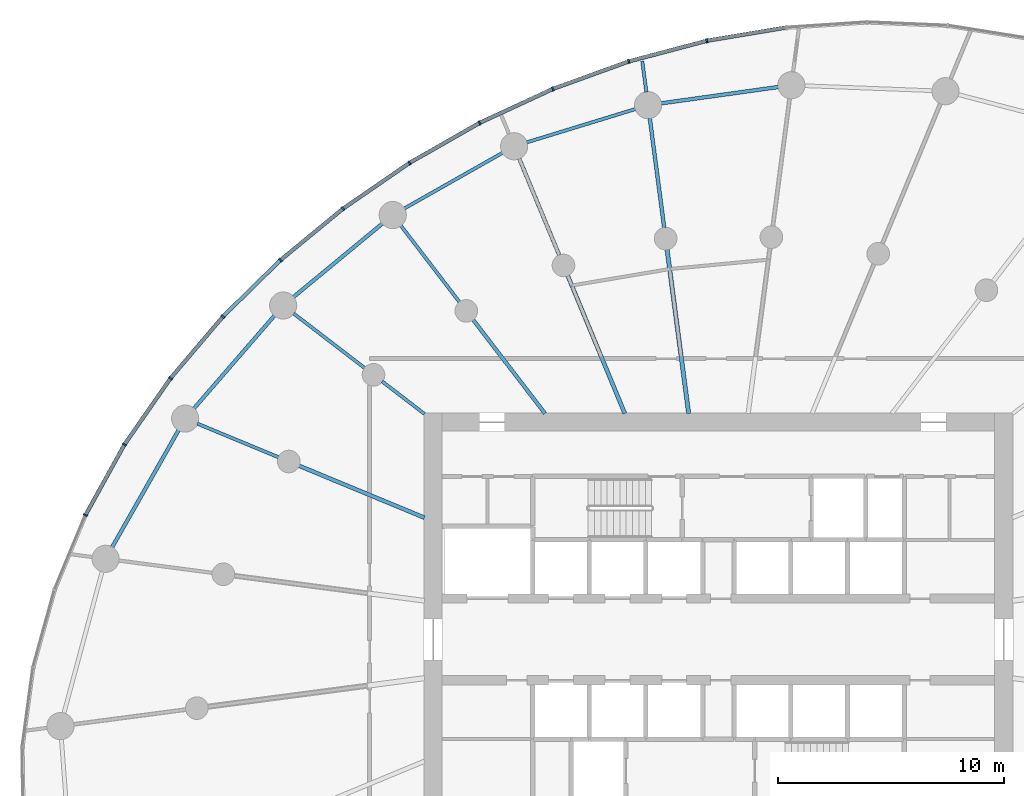
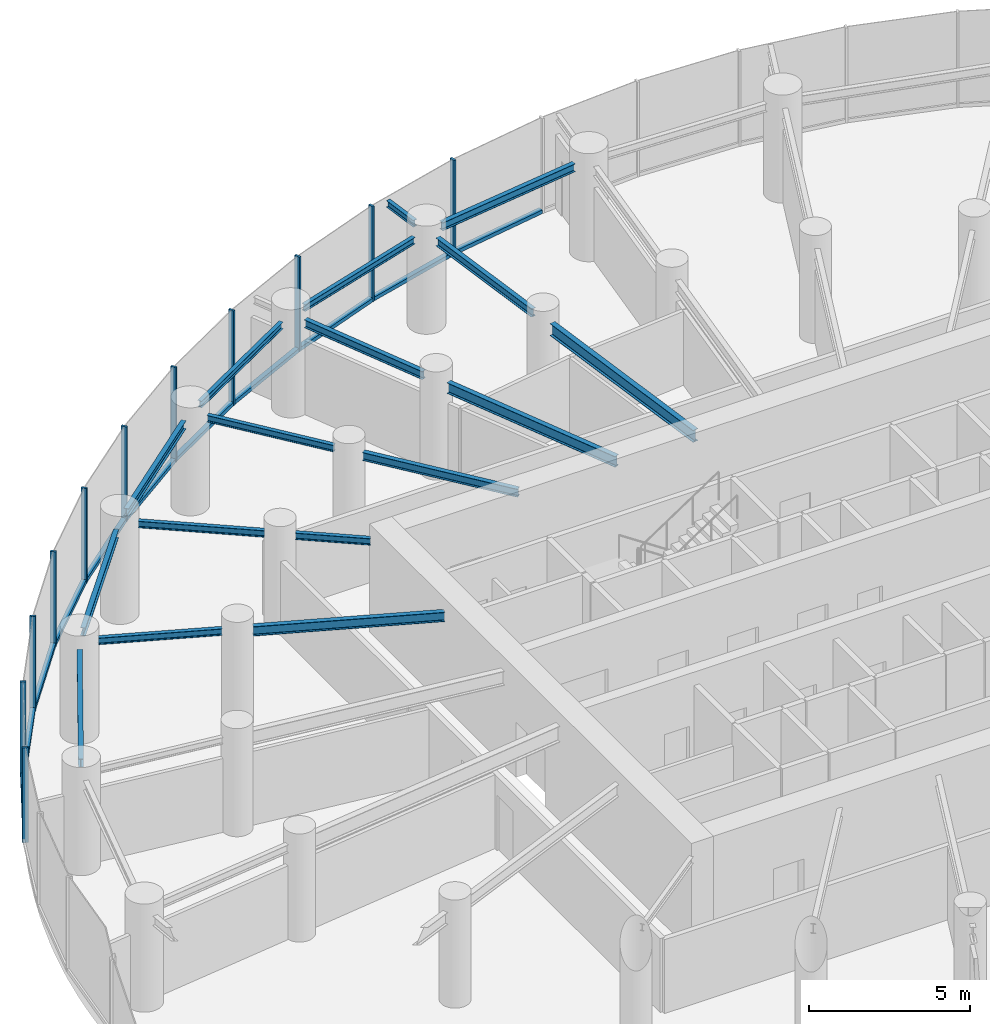
# One storey, part 6 of 17: 22 members, 17 beams, 3 elements without a shape of their own.
"""IFC4 building model written with IfcOpenShell, lengths in metres."""

from ifc_helpers import new_model, si_unit, direction, frame, origin, origin_2d, place, context, subcontext, project, spatial, rectangle, i_section, extrude, source, transform, mapped, material, layer, layer_set, material_profile, profile_set, type_object, element, aggregate, save


model = new_model("IFC4")

# Units and contexts
model_context = context("Model", 3, precision=1e-05, world=origin(), true_north=direction((0.0, 1.0)))
body_context = subcontext(model_context, "Body", "Model", "MODEL_VIEW")
ifc_project = project(units=[si_unit("LENGTHUNIT", "METRE"), si_unit("AREAUNIT", "SQUARE_METRE"), si_unit("VOLUMEUNIT", "CUBIC_METRE"), si_unit("PLANEANGLEUNIT", "RADIAN"), si_unit("MASSUNIT", "GRAM", prefix="KILO")], contexts=[model_context])

# Site, building, storey
site_placement = place(None, origin())
site = spatial("IfcSite", under=ifc_project, at=site_placement, CompositionType="ELEMENT")
building_placement = place(site_placement, origin())
building = spatial("IfcBuilding", under=site, at=building_placement, Name="Spindrift Exchange Tower", CompositionType="ELEMENT")
storey_placement = place(building_placement, frame((0.0, 0.0, 124.89990234375)))
storey = spatial("IfcBuildingStorey", under=building, at=storey_placement, Name="L29", CompositionType="ELEMENT", Elevation=124.89990234375)

# Beams
ifc_material_1 = material(Name="Steel Grade 300", Category="steel")
ifc_material_profile_1 = material_profile(ifc_material_1, i_section(OverallWidth=0.18994140625, OverallDepth=0.45703125, WebThickness=0.009033203125, FlangeThickness=0.014404296875, FilletRadius=0.013916015625, at=origin_2d()), Name="460UB74.6")
ifc_profile_set_1 = profile_set([ifc_material_profile_1], Name="Steel Grade 300")
beam_type_1 = type_object("IfcBeamType", Name="Floor Beam 460UB74.6 Steel Grade 300", PredefinedType="BEAM", material=ifc_profile_set_1)
shared_shape_1 = source(origin(), body_context, "Body", "SweptSolid", [
    extrude(i_section(OverallWidth=0.18994140625, OverallDepth=0.45703125, WebThickness=0.009033203125, FlangeThickness=0.014404296875, FilletRadius=0.013916015625, at=origin_2d()), origin(), (0.0, 0.0, 1.0), 7.3095703125),
])
beam_1_placement = place(storey_placement, frame((50.68603515625, 57.980224609375, 3.37158203125), z_axis=(-0.130527087244, 0.991444743541, 0.0), x_axis=(-0.991444743541, -0.130527087244, 0.0)))
element("IfcBeam", 1, at=beam_1_placement, inside=storey, type_object=beam_type_1, Name="L29 radial beam R07A", PredefinedType="BEAM", context=body_context, shape_type="MappedRepresentation", body=[
    mapped(shared_shape_1, transform((0.0, 0.0, 0.0), scale=1.0)),
])
ifc_material_profile_2 = material_profile(ifc_material_1, i_section(OverallWidth=0.177978515625, OverallDepth=0.406005859375, WebThickness=0.0078125, FlangeThickness=0.0126953125, FilletRadius=0.013916015625, at=origin_2d()), Name="410UB59.7")
ifc_profile_set_2 = profile_set([ifc_material_profile_2], Name="Steel Grade 300")
beam_type_2 = type_object("IfcBeamType", Name="Floor Beam 410UB59.7 Steel Grade 300", PredefinedType="BEAM", material=ifc_profile_set_2)
shared_shape_2 = source(origin(), body_context, "Body", "SweptSolid", [
    extrude(i_section(OverallWidth=0.177978515625, OverallDepth=0.406005859375, WebThickness=0.0078125, FlangeThickness=0.0126953125, FilletRadius=0.013916015625, at=origin_2d()), origin(), (0.0, 0.0, 1.0), 6.594482421875),
])
beam_2_placement = place(storey_placement, frame((47.865478515625, 57.9814453125, 3.397216796875), z_axis=(-0.382692929746, 0.92387559851, 0.0), x_axis=(-0.92387559851, -0.382692929746, 0.0)))
element("IfcBeam", 2, at=beam_2_placement, inside=storey, type_object=beam_type_2, Name="L29 radial beam R08A", PredefinedType="BEAM", context=body_context, shape_type="MappedRepresentation", body=[
    mapped(shared_shape_2, transform((0.0, 0.0, 0.0), scale=1.0)),
])
ifc_material_profile_3 = material_profile(ifc_material_1, i_section(OverallWidth=0.1650390625, OverallDepth=0.303955078125, WebThickness=0.006103515625, FlangeThickness=0.01025390625, FilletRadius=0.011474609375, at=origin_2d()), Name="310UB40.4")
ifc_profile_set_3 = profile_set([ifc_material_profile_3], Name="Steel Grade 300")
beam_type_3 = type_object("IfcBeamType", Name="Floor Beam 310UB40.4 Steel Grade 300", PredefinedType="BEAM", material=ifc_profile_set_3)
shared_shape_3 = source(origin(), body_context, "Body", "SweptSolid", [
    extrude(i_section(OverallWidth=0.1650390625, OverallDepth=0.303955078125, WebThickness=0.006103515625, FlangeThickness=0.01025390625, FilletRadius=0.011474609375, at=origin_2d()), origin(), (0.0, 0.0, 1.0), 5.224609375),
])
beam_3_placement = place(storey_placement, frame((44.3388671875, 57.984130859375, 3.447998046875), z_axis=(-0.608741499316, 0.793368632485, 0.0), x_axis=(-0.793368632485, -0.608741499316, 0.0)))
element("IfcBeam", 3, at=beam_3_placement, inside=storey, type_object=beam_type_3, Name="L29 radial beam R09A", PredefinedType="BEAM", context=body_context, shape_type="MappedRepresentation", body=[
    mapped(shared_shape_3, transform((0.0, 0.0, 0.0), scale=1.0)),
])
ifc_material_profile_4 = material_profile(ifc_material_1, i_section(OverallWidth=0.14599609375, OverallDepth=0.251953125, WebThickness=0.006103515625, FlangeThickness=0.008544921875, FilletRadius=0.011962890625, at=origin_2d()), Name="250UB31.4")
ifc_profile_set_4 = profile_set([ifc_material_profile_4], Name="Steel Grade 300")
beam_type_4 = type_object("IfcBeamType", Name="Floor Beam 250UB31.4 Steel Grade 300", PredefinedType="BEAM", material=ifc_profile_set_4)
shared_shape_4 = source(origin(), body_context, "Body", "SweptSolid", [
    extrude(i_section(OverallWidth=0.14599609375, OverallDepth=0.251953125, WebThickness=0.006103515625, FlangeThickness=0.008544921875, FilletRadius=0.011962890625, at=origin_2d()), origin(), (0.0, 0.0, 1.0), 2.353759765625),
])
beam_4_placement = place(storey_placement, frame((39.015869140625, 57.963134765625, 3.47412109375), z_axis=(-0.793367573265, 0.608742879787, 0.0), x_axis=(-0.608742879787, -0.793367573265, 0.0)))
element("IfcBeam", 4, at=beam_4_placement, inside=storey, type_object=beam_type_4, Name="L29 radial beam R10A", PredefinedType="BEAM", context=body_context, shape_type="MappedRepresentation", body=[
    mapped(shared_shape_4, transform((0.0, 0.0, 0.0), scale=1.0)),
])
ifc_material_profile_5 = material_profile(ifc_material_1, i_section(OverallWidth=0.172119140625, OverallDepth=0.35888671875, WebThickness=0.008056640625, FlangeThickness=0.012939453125, FilletRadius=0.013916015625, at=origin_2d()), Name="360UB56.7")
ifc_profile_set_5 = profile_set([ifc_material_profile_5], Name="Steel Grade 300")
beam_type_5 = type_object("IfcBeamType", Name="Floor Beam 360UB56.7 Steel Grade 300", PredefinedType="BEAM", material=ifc_profile_set_5)
shared_shape_5 = source(origin(), body_context, "Body", "SweptSolid", [
    extrude(i_section(OverallWidth=0.172119140625, OverallDepth=0.35888671875, WebThickness=0.008056640625, FlangeThickness=0.012939453125, FilletRadius=0.013916015625, at=origin_2d()), origin(), (0.0, 0.0, 1.0), 6.004638671875),
])
beam_5_placement = place(storey_placement, frame((39.0185546875, 53.377197265625, 3.420654296875), z_axis=(-0.923882044911, 0.38267736684, 0.0), x_axis=(-0.38267736684, -0.923882044911, 0.0)))
element("IfcBeam", 5, at=beam_5_placement, inside=storey, type_object=beam_type_5, Name="L29 radial beam R11A", PredefinedType="BEAM", context=body_context, shape_type="MappedRepresentation", body=[
    mapped(shared_shape_5, transform((0.0, 0.0, 0.0), scale=1.0)),
])
shared_shape_6 = source(origin(), body_context, "Body", "SweptSolid", [
    extrude(i_section(OverallWidth=0.1650390625, OverallDepth=0.303955078125, WebThickness=0.006103515625, FlangeThickness=0.01025390625, FilletRadius=0.011474609375, at=origin_2d()), origin(), (0.0, 0.0, 1.0), 4.883056640625),
])
beam_6_placement = place(storey_placement, frame((49.606689453125, 66.17919921875, 3.447998046875), z_axis=(-0.130542457964, 0.991442719812, 0.0), x_axis=(-0.991442719812, -0.130542457964, 0.0)))
element("IfcBeam", 6, at=beam_6_placement, inside=storey, type_object=beam_type_3, Name="L29 radial beam R07B", PredefinedType="BEAM", context=body_context, shape_type="MappedRepresentation", body=[
    mapped(shared_shape_6, transform((0.0, 0.0, 0.0), scale=1.0)),
])
shared_shape_7 = source(origin(), body_context, "Body", "SweptSolid", [
    extrude(i_section(OverallWidth=0.1650390625, OverallDepth=0.303955078125, WebThickness=0.006103515625, FlangeThickness=0.01025390625, FilletRadius=0.011474609375, at=origin_2d()), origin(), (0.0, 0.0, 1.0), 4.63671875),
])
beam_7_placement = place(storey_placement, frame((44.974609375, 64.9609375, 3.447998046875), z_axis=(-0.382692818086, 0.923875644763, 0.0), x_axis=(-0.923875644763, -0.382692818086, 0.0)))
element("IfcBeam", 7, at=beam_7_placement, inside=storey, type_object=beam_type_3, Name="L29 radial beam R08B", PredefinedType="BEAM", context=body_context, shape_type="MappedRepresentation", body=[
    mapped(shared_shape_7, transform((0.0, 0.0, 0.0), scale=1.0)),
])
shared_shape_8 = source(origin(), body_context, "Body", "SweptSolid", [
    extrude(i_section(OverallWidth=0.14599609375, OverallDepth=0.251953125, WebThickness=0.006103515625, FlangeThickness=0.008544921875, FilletRadius=0.011962890625, at=origin_2d()), origin(), (0.0, 0.0, 1.0), 4.27587890625),
])
beam_8_placement = place(storey_placement, frame((40.573974609375, 62.890625, 3.47412109375), z_axis=(-0.608725184746, 0.793381150177, 0.0), x_axis=(-0.793381150177, -0.608725184746, 0.0)))
element("IfcBeam", 8, at=beam_8_placement, inside=storey, type_object=beam_type_4, Name="L29 radial beam R09B", PredefinedType="BEAM", context=body_context, shape_type="MappedRepresentation", body=[
    mapped(shared_shape_8, transform((0.0, 0.0, 0.0), scale=1.0)),
])
shared_shape_9 = source(origin(), body_context, "Body", "SweptSolid", [
    extrude(i_section(OverallWidth=0.14599609375, OverallDepth=0.251953125, WebThickness=0.006103515625, FlangeThickness=0.008544921875, FilletRadius=0.011962890625, at=origin_2d()), origin(), (0.0, 0.0, 1.0), 3.966064453125),
])
beam_9_placement = place(storey_placement, frame((36.38671875, 59.98046875, 3.47412109375), z_axis=(-0.79336256318, 0.608749409318, 0.0), x_axis=(-0.608749409318, -0.79336256318, 0.0)))
element("IfcBeam", 9, at=beam_9_placement, inside=storey, type_object=beam_type_4, Name="L29 radial beam R10B", PredefinedType="BEAM", context=body_context, shape_type="MappedRepresentation", body=[
    mapped(shared_shape_9, transform((0.0, 0.0, 0.0), scale=1.0)),
])
shared_shape_10 = source(origin(), body_context, "Body", "SweptSolid", [
    extrude(i_section(OverallWidth=0.14599609375, OverallDepth=0.251953125, WebThickness=0.006103515625, FlangeThickness=0.008544921875, FilletRadius=0.011962890625, at=origin_2d()), origin(), (0.0, 0.0, 1.0), 3.892333984375),
])
beam_10_placement = place(storey_placement, frame((32.583984375, 56.04248046875, 3.47412109375), z_axis=(-0.923878458273, 0.382686025794, 0.0), x_axis=(-0.382686025794, -0.923878458273, 0.0)))
element("IfcBeam", 10, at=beam_10_placement, inside=storey, type_object=beam_type_4, Name="L29 radial beam R11B", PredefinedType="BEAM", context=body_context, shape_type="MappedRepresentation", body=[
    mapped(shared_shape_10, transform((0.0, 0.0, 0.0), scale=1.0)),
])
ifc_material_profile_6 = material_profile(ifc_material_1, i_section(OverallWidth=0.1650390625, OverallDepth=0.303955078125, WebThickness=0.006103515625, FlangeThickness=0.01025390625, FilletRadius=0.011474609375, at=origin_2d()), Name="310UB40.4")
ifc_profile_set_6 = profile_set([ifc_material_profile_6], Name="Steel Grade 300")
beam_type_6 = type_object("IfcBeamType", Name="Edge Beam 310UB40.4 Steel Grade 300", PredefinedType="SPANDREL", material=ifc_profile_set_6)
shared_shape_11 = source(origin(), body_context, "Body", "SweptSolid", [
    extrude(i_section(OverallWidth=0.1650390625, OverallDepth=0.303955078125, WebThickness=0.006103515625, FlangeThickness=0.01025390625, FilletRadius=0.011474609375, at=origin_2d()), origin(), (0.0, 0.0, 1.0), 5.22998046875),
])
beam_11_placement = place(storey_placement, frame((54.64794921875, 72.396728515625, 3.447998046875), z_axis=(-0.990440078597, -0.137943650481, 0.0), x_axis=(0.137943650481, -0.990440078597, 0.0)))
element("IfcBeam", 11, at=beam_11_placement, inside=storey, type_object=beam_type_6, Name="L29 edge beam E06", PredefinedType="SPANDREL", context=body_context, shape_type="MappedRepresentation", body=[
    mapped(shared_shape_11, transform((0.0, 0.0, 0.0), scale=1.0)),
])
ifc_material_profile_7 = material_profile(ifc_material_1, i_section(OverallWidth=0.14599609375, OverallDepth=0.251953125, WebThickness=0.006103515625, FlangeThickness=0.008544921875, FilletRadius=0.011962890625, at=origin_2d()), Name="250UB31.4")
ifc_profile_set_7 = profile_set([ifc_material_profile_7], Name="Steel Grade 300")
beam_type_7 = type_object("IfcBeamType", Name="Edge Beam 250UB31.4 Steel Grade 300", PredefinedType="SPANDREL", material=ifc_profile_set_7)
shared_shape_12 = source(origin(), body_context, "Body", "SweptSolid", [
    extrude(i_section(OverallWidth=0.14599609375, OverallDepth=0.251953125, WebThickness=0.006103515625, FlangeThickness=0.008544921875, FilletRadius=0.011962890625, at=origin_2d()), origin(), (0.0, 0.0, 1.0), 5.027587890625),
])
beam_12_placement = place(storey_placement, frame((48.339111328125, 71.42529296875, 3.47412109375), z_axis=(-0.956018084082, -0.293307727325, 0.0), x_axis=(0.293307727325, -0.956018084082, 0.0)))
element("IfcBeam", 12, at=beam_12_placement, inside=storey, type_object=beam_type_7, Name="L29 edge beam E07", PredefinedType="SPANDREL", context=body_context, shape_type="MappedRepresentation", body=[
    mapped(shared_shape_12, transform((0.0, 0.0, 0.0), scale=1.0)),
])
shared_shape_13 = source(origin(), body_context, "Body", "SweptSolid", [
    extrude(i_section(OverallWidth=0.14599609375, OverallDepth=0.251953125, WebThickness=0.006103515625, FlangeThickness=0.008544921875, FilletRadius=0.011962890625, at=origin_2d()), origin(), (0.0, 0.0, 1.0), 5.0009765625),
])
beam_13_placement = place(storey_placement, frame((42.4736328125, 69.494384765625, 3.47412109375), z_axis=(-0.870045916697, -0.492970691663, 0.0), x_axis=(0.492970691663, -0.870045916697, 0.0)))
element("IfcBeam", 13, at=beam_13_placement, inside=storey, type_object=beam_type_7, Name="L29 edge beam E08", PredefinedType="SPANDREL", context=body_context, shape_type="MappedRepresentation", body=[
    mapped(shared_shape_13, transform((0.0, 0.0, 0.0), scale=1.0)),
])
shared_shape_14 = source(origin(), body_context, "Body", "SweptSolid", [
    extrude(i_section(OverallWidth=0.1650390625, OverallDepth=0.303955078125, WebThickness=0.006103515625, FlangeThickness=0.01025390625, FilletRadius=0.011474609375, at=origin_2d()), origin(), (0.0, 0.0, 1.0), 5.114501953125),
])
beam_14_placement = place(storey_placement, frame((37.1708984375, 66.373779296875, 3.447998046875), z_axis=(-0.771073837992, -0.63674573918, 0.0), x_axis=(0.63674573918, -0.771073837992, 0.0)))
element("IfcBeam", 14, at=beam_14_placement, inside=storey, type_object=beam_type_6, Name="L29 edge beam E09", PredefinedType="SPANDREL", context=body_context, shape_type="MappedRepresentation", body=[
    mapped(shared_shape_14, transform((0.0, 0.0, 0.0), scale=1.0)),
])
shared_shape_15 = source(origin(), body_context, "Body", "SweptSolid", [
    extrude(i_section(OverallWidth=0.1650390625, OverallDepth=0.303955078125, WebThickness=0.006103515625, FlangeThickness=0.01025390625, FilletRadius=0.011474609375, at=origin_2d()), origin(), (0.0, 0.0, 1.0), 5.448486328125),
])
beam_15_placement = place(storey_placement, frame((32.400390625, 62.3095703125, 3.447998046875), z_axis=(-0.654922008827, -0.755696475018, 0.0), x_axis=(0.755696475018, -0.654922008827, 0.0)))
element("IfcBeam", 15, at=beam_15_placement, inside=storey, type_object=beam_type_6, Name="L29 edge beam E10", PredefinedType="SPANDREL", context=body_context, shape_type="MappedRepresentation", body=[
    mapped(shared_shape_15, transform((0.0, 0.0, 0.0), scale=1.0)),
])
shared_shape_16 = source(origin(), body_context, "Body", "SweptSolid", [
    extrude(i_section(OverallWidth=0.1650390625, OverallDepth=0.303955078125, WebThickness=0.006103515625, FlangeThickness=0.01025390625, FilletRadius=0.011474609375, at=origin_2d()), origin(), (0.0, 0.0, 1.0), 5.9599609375),
])
beam_16_placement = place(storey_placement, frame((28.165771484375, 57.24951171875, 3.447998046875), z_axis=(-0.493940434745, -0.869495742901, 0.0), x_axis=(0.869495742901, -0.493940434745, 0.0)))
element("IfcBeam", 16, at=beam_16_placement, inside=storey, type_object=beam_type_6, Name="L29 edge beam E11", PredefinedType="SPANDREL", context=body_context, shape_type="MappedRepresentation", body=[
    mapped(shared_shape_16, transform((0.0, 0.0, 0.0), scale=1.0)),
])
ifc_material_profile_8 = material_profile(ifc_material_1, i_section(OverallWidth=0.14599609375, OverallDepth=0.251953125, WebThickness=0.006103515625, FlangeThickness=0.008544921875, FilletRadius=0.011962890625, at=origin_2d()), Name="250UB31.4")
ifc_profile_set_8 = profile_set([ifc_material_profile_8], Name="Steel Grade 300")
beam_type_8 = type_object("IfcBeamType", Name="Cantilever Beam 250UB31.4 Steel Grade 300", PredefinedType="BEAM", material=ifc_profile_set_8)
shared_shape_17 = source(origin(), body_context, "Body", "SweptSolid", [
    extrude(i_section(OverallWidth=0.14599609375, OverallDepth=0.251953125, WebThickness=0.006103515625, FlangeThickness=0.008544921875, FilletRadius=0.011962890625, at=origin_2d()), origin(), (0.0, 0.0, 1.0), 1.37744140625),
])
beam_17_placement = place(storey_placement, frame((48.81787109375, 72.17041015625, 3.47412109375), z_axis=(-0.130445343131, 0.991455502005, 0.0), x_axis=(-0.991455502005, -0.130445343131, 0.0)))
element("IfcBeam", 17, at=beam_17_placement, inside=storey, type_object=beam_type_8, Name="L29 cantilever beam R07T", PredefinedType="BEAM", context=body_context, shape_type="MappedRepresentation", body=[
    mapped(shared_shape_17, transform((0.0, 0.0, 0.0), scale=1.0)),
])

# Curtain wall, member
ifc_material_2 = material(Name="Fritted laminated glass with bronze frame", Category="glass")
ifc_layer = layer(ifc_material_2, 0.18994140625)
ifc_layer_set = layer_set([ifc_layer], Name="ZONE 2 BRONZE FRITTED WALL")
curtain_wall_type = type_object("IfcCurtainWallType", Name="ZONE 2 BRONZE FRITTED WALL", PredefinedType="NOTDEFINED", material=ifc_layer_set)
curtain_wall_1_placement = place(storey_placement, origin())
curtain_wall_1 = element("IfcCurtainWall", 18, at=curtain_wall_1_placement, inside=storey, type_object=curtain_wall_type, Name="L29 Zone 2 Bronze Fritted Wall run 3", PredefinedType="NOTDEFINED")
ifc_material_3 = material(Name="Bronze anodised aluminium", Category="aluminium")
ifc_material_profile_9 = material_profile(ifc_material_3, rectangle(XDim=0.169921875, YDim=0.139892578125, at=origin_2d()), Name="ZONE 2 BRONZE FRITTED WALL TRANSOM 170X140")
ifc_profile_set_9 = profile_set([ifc_material_profile_9], Name="Bronze anodised aluminium")
member_type_1 = type_object("IfcMemberType", Name="ZONE 2 BRONZE FRITTED WALL TRANSOM 170X140", PredefinedType="USERDEFINED", material=ifc_profile_set_9)
shared_shape_18 = source(origin(), body_context, "Body", "SweptSolid", [
    extrude(rectangle(XDim=0.169921875, YDim=0.139892578125, at=origin_2d()), origin(), (0.0, 0.0, 1.0), 3.4912109375),
])
member_1_placement = place(storey_placement, frame((27.78564453125, 59.509521484375, 0.070068359375), z_axis=(-0.570972284892, -0.820969335533, 0.0), x_axis=(0.820969335533, -0.570972284892, 0.0)))
member_1 = element("IfcMember", 19, at=member_1_placement, type_object=member_type_1, Name="L29 transom CW-2.18", ObjectType="TRANSOM", PredefinedType="USERDEFINED", context=body_context, shape_type="MappedRepresentation", body=[
    mapped(shared_shape_18, transform((0.0, 0.0, 0.0), scale=1.0)),
])

curtain_wall_2_placement = place(storey_placement, origin())
curtain_wall_2 = element("IfcCurtainWall", 20, at=curtain_wall_2_placement, inside=storey, type_object=curtain_wall_type, Name="L29 Zone 2 Bronze Fritted Wall run 2", PredefinedType="NOTDEFINED")
shared_shape_19 = source(origin(), body_context, "Body", "SweptSolid", [
    extrude(rectangle(XDim=0.169921875, YDim=0.139892578125, at=origin_2d()), origin(), (0.0, 0.0, 1.0), 3.49169921875),
])
member_2_placement = place(storey_placement, frame((48.005615234375, 73.51513671875, 0.070068359375), z_axis=(-0.940139985469, -0.340788508789, 0.0), x_axis=(0.340788508789, -0.940139985469, 0.0)))
member_2 = element("IfcMember", 21, at=member_2_placement, type_object=member_type_1, Name="L29 transom CW-2.11", ObjectType="TRANSOM", PredefinedType="USERDEFINED", context=body_context, shape_type="MappedRepresentation", body=[
    mapped(shared_shape_19, transform((0.0, 0.0, 0.0), scale=1.0)),
])

# Member
member_3_placement = place(storey_placement, frame((41.419189453125, 70.7939453125, 0.070068359375), z_axis=(-0.868475396205, -0.495732272691, 0.0), x_axis=(0.495732272691, -0.868475396205, 0.0)))
member_3 = element("IfcMember", 22, at=member_3_placement, type_object=member_type_1, Name="L29 transom CW-2.13", ObjectType="TRANSOM", PredefinedType="USERDEFINED", context=body_context, shape_type="MappedRepresentation", body=[
    mapped(shared_shape_19, transform((0.0, 0.0, 0.0), scale=1.0)),
])

member_4_placement = place(storey_placement, frame((38.3232421875, 69.023193359375, 0.070068359375), z_axis=(-0.823641865795, -0.567110286372, 0.0), x_axis=(0.567110286372, -0.823641865795, 0.0)))
member_4 = element("IfcMember", 23, at=member_4_placement, type_object=member_type_1, Name="L29 transom CW-2.14", ObjectType="TRANSOM", PredefinedType="USERDEFINED", context=body_context, shape_type="MappedRepresentation", body=[
    mapped(shared_shape_19, transform((0.0, 0.0, 0.0), scale=1.0)),
])

member_5_placement = place(storey_placement, frame((35.387451171875, 66.998046875, 0.070068359375), z_axis=(-0.772331722705, -0.635219418865, 0.0), x_axis=(0.635219418865, -0.772331722705, 0.0)))
member_5 = element("IfcMember", 24, at=member_5_placement, type_object=member_type_1, Name="L29 transom CW-2.15", ObjectType="TRANSOM", PredefinedType="USERDEFINED", context=body_context, shape_type="MappedRepresentation", body=[
    mapped(shared_shape_19, transform((0.0, 0.0, 0.0), scale=1.0)),
])

shared_shape_20 = source(origin(), body_context, "Body", "SweptSolid", [
    extrude(rectangle(XDim=0.169921875, YDim=0.139892578125, at=origin_2d()), origin(), (0.0, 0.0, 1.0), 3.491455078125),
])
member_6_placement = place(storey_placement, frame((54.969482421875, 75.0205078125, 0.070068359375), z_axis=(-0.986382582061, -0.164467023466, 0.0), x_axis=(0.164467023466, -0.986382582061, 0.0)))
member_6 = element("IfcMember", 25, at=member_6_placement, type_object=member_type_1, Name="L29 transom CW-2.9", ObjectType="TRANSOM", PredefinedType="USERDEFINED", context=body_context, shape_type="MappedRepresentation", body=[
    mapped(shared_shape_20, transform((0.0, 0.0, 0.0), scale=1.0)),
])

member_7_placement = place(storey_placement, frame((51.452392578125, 74.430419921875, 0.070068359375), z_axis=(-0.96673218683, -0.255790693629, 0.0), x_axis=(0.255790693629, -0.96673218683, 0.0)))
member_7 = element("IfcMember", 26, at=member_7_placement, type_object=member_type_1, Name="L29 transom CW-2.10", ObjectType="TRANSOM", PredefinedType="USERDEFINED", context=body_context, shape_type="MappedRepresentation", body=[
    mapped(shared_shape_20, transform((0.0, 0.0, 0.0), scale=1.0)),
])

member_8_placement = place(storey_placement, frame((44.653564453125, 72.296630859375, 0.070068359375), z_axis=(-0.907278723266, -0.420529806684, 0.0), x_axis=(0.420529806684, -0.907278723266, 0.0)))
member_8 = element("IfcMember", 27, at=member_8_placement, type_object=member_type_1, Name="L29 transom CW-2.12", ObjectType="TRANSOM", PredefinedType="USERDEFINED", context=body_context, shape_type="MappedRepresentation", body=[
    mapped(shared_shape_20, transform((0.0, 0.0, 0.0), scale=1.0)),
])

member_9_placement = place(storey_placement, frame((32.634765625, 64.72998046875, 0.070068359375), z_axis=(-0.713926148504, -0.700221004028, 0.0), x_axis=(0.700221004028, -0.713926148504, 0.0)))
member_9 = element("IfcMember", 28, at=member_9_placement, type_object=member_type_1, Name="L29 transom CW-2.16", ObjectType="TRANSOM", PredefinedType="USERDEFINED", context=body_context, shape_type="MappedRepresentation", body=[
    mapped(shared_shape_20, transform((0.0, 0.0, 0.0), scale=1.0)),
])

member_10_placement = place(storey_placement, frame((30.091064453125, 62.230224609375, 0.070068359375), z_axis=(-0.647248455515, -0.762279106911, 0.0), x_axis=(0.762279106911, -0.647248455515, 0.0)))
member_10 = element("IfcMember", 29, at=member_10_placement, type_object=member_type_1, Name="L29 transom CW-2.17", ObjectType="TRANSOM", PredefinedType="USERDEFINED", context=body_context, shape_type="MappedRepresentation", body=[
    mapped(shared_shape_20, transform((0.0, 0.0, 0.0), scale=1.0)),
])

# Curtain wall, member
curtain_wall_3_placement = place(storey_placement, origin())
curtain_wall_3 = element("IfcCurtainWall", 30, at=curtain_wall_3_placement, inside=storey, type_object=curtain_wall_type, Name="L29 Zone 2 Bronze Fritted Wall run 4", PredefinedType="NOTDEFINED")
shared_shape_21 = source(origin(), body_context, "Body", "SweptSolid", [
    extrude(rectangle(XDim=0.169921875, YDim=0.139892578125, at=origin_2d()), origin(), (0.0, 0.0, 1.0), 3.490966796875),
])
member_11_placement = place(storey_placement, frame((25.752685546875, 56.57958984375, 0.070068359375), z_axis=(-0.483456294762, -0.87536850015, 0.0), x_axis=(0.87536850015, -0.483456294762, 0.0)))
member_11 = element("IfcMember", 31, at=member_11_placement, type_object=member_type_1, Name="L29 transom CW-2.19", ObjectType="TRANSOM", PredefinedType="USERDEFINED", context=body_context, shape_type="MappedRepresentation", body=[
    mapped(shared_shape_21, transform((0.0, 0.0, 0.0), scale=1.0)),
])

# Member
ifc_material_profile_10 = material_profile(ifc_material_3, rectangle(XDim=0.074951171875, YDim=0.18994140625, at=origin_2d()), Name="ZONE 2 BRONZE FRITTED WALL MULLION 75X190")
ifc_profile_set_10 = profile_set([ifc_material_profile_10], Name="Bronze anodised aluminium")
member_type_2 = type_object("IfcMemberType", Name="ZONE 2 BRONZE FRITTED WALL MULLION 75X190", PredefinedType="MULLION", material=ifc_profile_set_10)
shared_shape_22 = source(origin(), body_context, "Body", "SweptSolid", [
    extrude(rectangle(XDim=0.074951171875, YDim=0.18994140625, at=origin_2d()), origin(), (0.0, 0.0, 1.0), 3.60009765625),
])
member_12_placement = place(storey_placement, frame((51.48876953125, 74.440185546875, 0.0), z_axis=(0.0, 0.0, 1.0), x_axis=(-0.977625498748, -0.210352999024, 0.0)))
member_12 = element("IfcMember", 32, at=member_12_placement, type_object=member_type_2, Name="L29 mullion CW-2.10", PredefinedType="MULLION", context=body_context, shape_type="MappedRepresentation", body=[
    mapped(shared_shape_22, transform((0.0, 0.0, 0.0), scale=1.0)),
])

member_13_placement = place(storey_placement, frame((48.040771484375, 73.52783203125, 0.0), z_axis=(0.0, 0.0, 1.0), x_axis=(-0.95438065419, -0.298592643762, 0.0)))
member_13 = element("IfcMember", 33, at=member_13_placement, type_object=member_type_2, Name="L29 mullion CW-2.11", PredefinedType="MULLION", context=body_context, shape_type="MappedRepresentation", body=[
    mapped(shared_shape_22, transform((0.0, 0.0, 0.0), scale=1.0)),
])

member_14_placement = place(storey_placement, frame((44.687744140625, 72.312255859375, 0.0), z_axis=(0.0, 0.0, 1.0), x_axis=(-0.924572405791, -0.381006386363, 0.0)))
member_14 = element("IfcMember", 34, at=member_14_placement, type_object=member_type_2, Name="L29 mullion CW-2.12", PredefinedType="MULLION", context=body_context, shape_type="MappedRepresentation", body=[
    mapped(shared_shape_22, transform((0.0, 0.0, 0.0), scale=1.0)),
])

aggregate(curtain_wall_2, [member_6, member_12, member_7, member_13, member_2, member_14, member_8])

member_15_placement = place(storey_placement, frame((41.45166015625, 70.8125, 0.0), z_axis=(0.0, 0.0, 1.0), x_axis=(-0.888686632539, -0.458515069705, 0.0)))
member_15 = element("IfcMember", 35, at=member_15_placement, type_object=member_type_2, Name="L29 mullion CW-2.13", PredefinedType="MULLION", context=body_context, shape_type="MappedRepresentation", body=[
    mapped(shared_shape_22, transform((0.0, 0.0, 0.0), scale=1.0)),
])

member_16_placement = place(storey_placement, frame((38.35400390625, 69.04443359375, 0.0), z_axis=(0.0, 0.0, 1.0), x_axis=(-0.84682111165, -0.531877810087, 0.0)))
member_16 = element("IfcMember", 36, at=member_16_placement, type_object=member_type_2, Name="L29 mullion CW-2.14", PredefinedType="MULLION", context=body_context, shape_type="MappedRepresentation", body=[
    mapped(shared_shape_22, transform((0.0, 0.0, 0.0), scale=1.0)),
])

member_17_placement = place(storey_placement, frame((35.41650390625, 67.021728515625, 0.0), z_axis=(0.0, 0.0, 1.0), x_axis=(-0.798730356291, -0.601689137296, 0.0)))
member_17 = element("IfcMember", 37, at=member_17_placement, type_object=member_type_2, Name="L29 mullion CW-2.15", PredefinedType="MULLION", context=body_context, shape_type="MappedRepresentation", body=[
    mapped(shared_shape_22, transform((0.0, 0.0, 0.0), scale=1.0)),
])

member_18_placement = place(storey_placement, frame((32.66162109375, 64.75634765625, 0.0), z_axis=(0.0, 0.0, 1.0), x_axis=(-0.743851346991, -0.668345100662, 0.0)))
member_18 = element("IfcMember", 38, at=member_18_placement, type_object=member_type_2, Name="L29 mullion CW-2.16", PredefinedType="MULLION", context=body_context, shape_type="MappedRepresentation", body=[
    mapped(shared_shape_22, transform((0.0, 0.0, 0.0), scale=1.0)),
])

member_19_placement = place(storey_placement, frame((30.115478515625, 62.2587890625, 0.0), z_axis=(0.0, 0.0, 1.0), x_axis=(-0.681277645884, -0.732025115156, 0.0)))
member_19 = element("IfcMember", 39, at=member_19_placement, type_object=member_type_2, Name="L29 mullion CW-2.17", PredefinedType="MULLION", context=body_context, shape_type="MappedRepresentation", body=[
    mapped(shared_shape_22, transform((0.0, 0.0, 0.0), scale=1.0)),
])

member_20_placement = place(storey_placement, frame((27.80712890625, 59.540283203125, 0.0), z_axis=(0.0, 0.0, 1.0), x_axis=(-0.609816706244, -0.792542481376, 0.0)))
member_20 = element("IfcMember", 40, at=member_20_placement, type_object=member_type_2, Name="L29 mullion CW-2.18", PredefinedType="MULLION", context=body_context, shape_type="MappedRepresentation", body=[
    mapped(shared_shape_22, transform((0.0, 0.0, 0.0), scale=1.0)),
])

aggregate(curtain_wall_1, [member_15, member_3, member_16, member_4, member_17, member_5, member_18, member_9, member_19, member_10, member_20, member_1])

member_21_placement = place(storey_placement, frame((25.770751953125, 56.612548828125, 0.0), z_axis=(0.0, 0.0, 1.0), x_axis=(-0.527925266673, -0.849290829344, 0.0)))
member_21 = element("IfcMember", 41, at=member_21_placement, type_object=member_type_2, Name="L29 mullion CW-2.19", PredefinedType="MULLION", context=body_context, shape_type="MappedRepresentation", body=[
    mapped(shared_shape_22, transform((0.0, 0.0, 0.0), scale=1.0)),
])

member_22_placement = place(storey_placement, frame((24.046875, 53.490966796875, 0.0), z_axis=(0.0, 0.0, 1.0), x_axis=(-0.433740717828, -0.901037729342, 0.0)))
member_22 = element("IfcMember", 42, at=member_22_placement, type_object=member_type_2, Name="L29 mullion CW-2.20", PredefinedType="MULLION", context=body_context, shape_type="MappedRepresentation", body=[
    mapped(shared_shape_22, transform((0.0, 0.0, 0.0), scale=1.0)),
])

aggregate(curtain_wall_3, [member_21, member_11, member_22])

save(model, "model.ifc")
